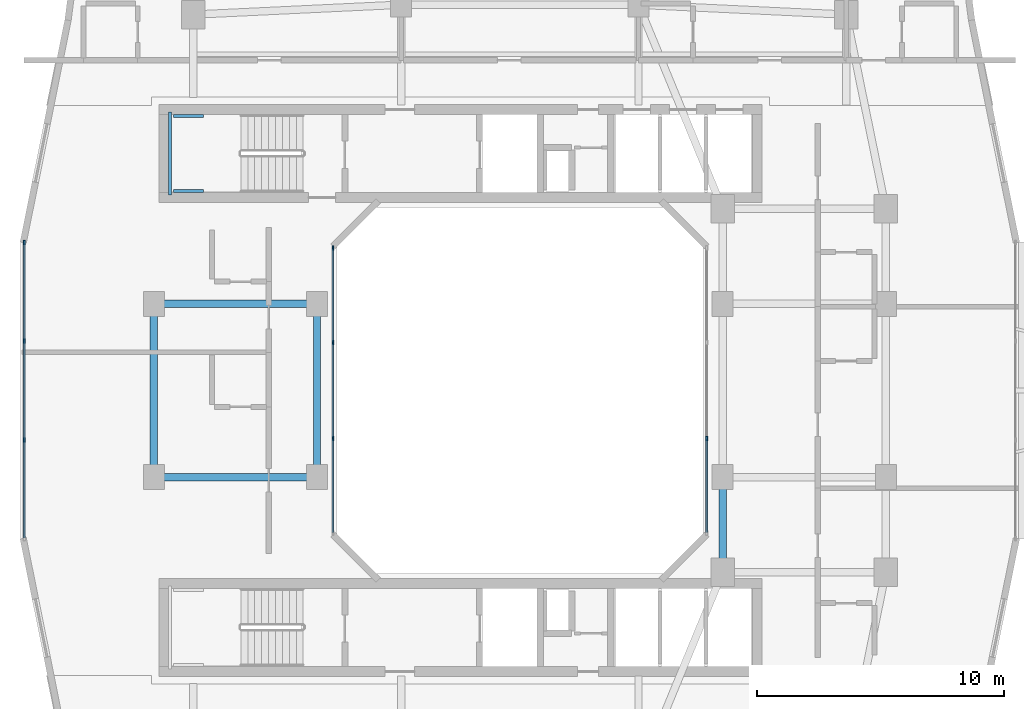
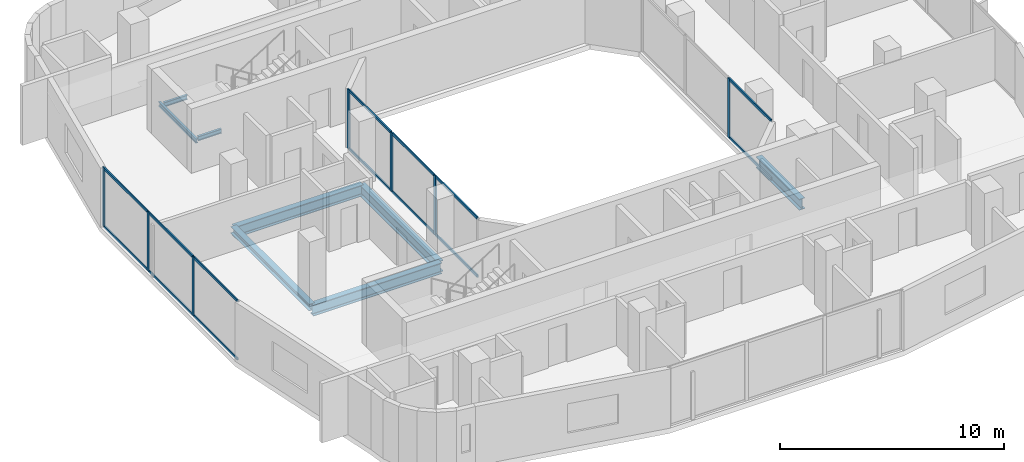
# One storey, part 3 of 26: 21 members, 8 beams, 3 elements without a shape of their own.
"""IFC4 building model written with IfcOpenShell, lengths in metres."""

from ifc_helpers import new_model, si_unit, derived_unit, direction, frame, origin, origin_2d, place, context, subcontext, project, spatial, rectangle, i_section, extrude, material, layer, layer_set, material_profile, profile_set, type_object, element, aggregate, save


model = new_model("IFC4")

# Units and contexts
model_context = context("Model", 3, precision=1e-05, world=origin(), true_north=direction((0.0, 1.0)))
body_context = subcontext(model_context, "Body", "Model", "MODEL_VIEW")
ifc_project = project(units=[si_unit("LENGTHUNIT", "METRE"), si_unit("AREAUNIT", "SQUARE_METRE"), si_unit("VOLUMEUNIT", "CUBIC_METRE"), si_unit("PLANEANGLEUNIT", "RADIAN"), si_unit("MASSUNIT", "GRAM", prefix="KILO"), derived_unit("THERMALTRANSMITTANCEUNIT", [(si_unit("POWERUNIT", "WATT"), 1), (si_unit("LENGTHUNIT", "METRE"), -2), (si_unit("THERMODYNAMICTEMPERATUREUNIT", "KELVIN"), -1)])], contexts=[model_context])

# Site, building, storey
site_placement = place(None, origin())
site = spatial("IfcSite", under=ifc_project, at=site_placement, CompositionType="ELEMENT")
building_placement = place(site_placement, origin())
building = spatial("IfcBuilding", under=site, at=building_placement, Name="Kivonza Crest Hotel", CompositionType="ELEMENT")
storey_placement = place(building_placement, frame((0.0, 0.0, 105.5)))
storey = spatial("IfcBuildingStorey", under=building, at=storey_placement, Name="L28", CompositionType="ELEMENT", Elevation=105.5)

# Beams
ifc_material_1 = material(Name="Steel S355", Category="steel")
ifc_material_profile_1 = material_profile(ifc_material_1, i_section(OverallWidth=0.300048828125, OverallDepth=0.360107421875, WebThickness=0.012451171875, FlangeThickness=0.0224609375, FilletRadius=0.027099609375, at=origin_2d()), Name="HEB 360")
ifc_profile_set_1 = profile_set([ifc_material_profile_1], Name="Steel S355")
beam_type_1 = type_object("IfcBeamType", Name="BM-HEB360", PredefinedType="SPANDREL", material=ifc_profile_set_1)
beam_1_placement = place(storey_placement, frame((6.199951171875, 28.5, -0.4599609375), z_axis=(0.0, -1.0, 0.0), x_axis=(1.0, 0.0, 0.0)))
element("IfcBeam", 1, at=beam_1_placement, inside=storey, type_object=beam_type_1, Name="Tower T1 L28 perimeter spandrel W2-W1", PredefinedType="SPANDREL", context=body_context, shape_type="SweptSolid", body=[
    extrude(i_section(OverallWidth=0.300048828125, OverallDepth=0.360107421875, WebThickness=0.012451171875, FlangeThickness=0.0224609375, FilletRadius=0.027099609375, at=origin_2d()), origin(), (0.0, 0.0, 1.0), 7.0),
])
ifc_material_profile_2 = material_profile(ifc_material_1, i_section(OverallWidth=0.300048828125, OverallDepth=0.60009765625, WebThickness=0.015380859375, FlangeThickness=0.030029296875, FilletRadius=0.027099609375, at=origin_2d()), Name="HEB 600")
ifc_profile_set_2 = profile_set([ifc_material_profile_2], Name="Steel S355")
beam_type_2 = type_object("IfcBeamType", Name="BM-HEB600", PredefinedType="BEAM", material=ifc_profile_set_2)
for number, where, z_axis, x_axis, name in (
    (2, (6.199951171875, 21.5, -0.580078125), (1.0, 0.0, 0.0), (0.0, 1.0, 0.0), "Tower T1 L28 primary girder W1-WL1"),
    (3, (6.199951171875, 28.5, -0.580078125), (1.0, 0.0, 0.0), (0.0, 1.0, 0.0), "Tower T1 L28 primary girder W2-WL2"),
):
    element("IfcBeam", number, at=place(storey_placement, frame(where, z_axis=z_axis, x_axis=x_axis)), inside=storey, type_object=beam_type_2, Name=name, PredefinedType="BEAM", context=body_context, shape_type="SweptSolid", body=[
        extrude(i_section(OverallWidth=0.300048828125, OverallDepth=0.60009765625, WebThickness=0.015380859375, FlangeThickness=0.030029296875, FilletRadius=0.027099609375, at=origin_2d()), origin(), (0.0, 0.0, 1.0), 6.60009765625),
    ])
beam_2_placement = place(storey_placement, frame((12.800048828125, 21.5, -0.580078125), z_axis=(0.0, 1.0, 0.0), x_axis=(-1.0, 0.0, 0.0)))
element("IfcBeam", 4, at=beam_2_placement, inside=storey, type_object=beam_type_2, Name="Tower T1 L28 primary girder WL1-WL2", PredefinedType="BEAM", context=body_context, shape_type="SweptSolid", body=[
    extrude(i_section(OverallWidth=0.300048828125, OverallDepth=0.60009765625, WebThickness=0.015380859375, FlangeThickness=0.030029296875, FilletRadius=0.027099609375, at=origin_2d()), origin(), (0.0, 0.0, 1.0), 7.0),
])
beam_3_placement = place(storey_placement, frame((29.199951171875, 17.64990234375, -0.580078125), z_axis=(0.0, 1.0, 0.0), x_axis=(-1.0, 0.0, 0.0)))
element("IfcBeam", 5, at=beam_3_placement, inside=storey, type_object=beam_type_2, Name="Tower T1 L28 primary girder TSE-WR1", PredefinedType="BEAM", context=body_context, shape_type="SweptSolid", body=[
    extrude(i_section(OverallWidth=0.300048828125, OverallDepth=0.60009765625, WebThickness=0.015380859375, FlangeThickness=0.030029296875, FilletRadius=0.027099609375, at=origin_2d()), origin(), (0.0, 0.0, 1.0), 3.85009765625),
])
ifc_material_profile_3 = material_profile(ifc_material_1, i_section(OverallWidth=0.1201171875, OverallDepth=0.239990234375, WebThickness=0.006103515625, FlangeThickness=0.009765625, FilletRadius=0.014892578125, at=origin_2d()), Name="IPE 240")
ifc_profile_set_3 = profile_set([ifc_material_profile_3], Name="Steel S355")
beam_type_3 = type_object("IfcBeamType", Name="BM-LLDG-240", PredefinedType="BEAM", material=ifc_profile_set_3)
beam_4_placement = place(storey_placement, frame((6.860107421875, 32.89990234375, 1.429931640625), z_axis=(0.0, 1.0, 0.0), x_axis=(-1.0, 0.0, 0.0)))
element("IfcBeam", 6, at=beam_4_placement, inside=storey, type_object=beam_type_3, Name="Stair ST-T1-N L28 West landing corbel", PredefinedType="BEAM", context=body_context, shape_type="SweptSolid", body=[
    extrude(i_section(OverallWidth=0.1201171875, OverallDepth=0.239990234375, WebThickness=0.006103515625, FlangeThickness=0.009765625, FilletRadius=0.014892578125, at=origin_2d()), origin(), (0.0, 0.0, 1.0), 3.360107421875),
])
for number, where, z_axis, x_axis, name in (
    (7, (6.989990234375, 33.06005859375, 1.429931640625), (1.0, 0.0, 0.0), (0.0, 1.0, 0.0), "Stair ST-T1-N L28 South landing corbel"),
    (8, (6.989990234375, 36.10009765625, 1.429931640625), (1.0, 0.0, 0.0), (0.0, 1.0, 0.0), "Stair ST-T1-N L28 North landing corbel"),
):
    element("IfcBeam", number, at=place(storey_placement, frame(where, z_axis=z_axis, x_axis=x_axis)), inside=storey, type_object=beam_type_3, Name=name, PredefinedType="BEAM", context=body_context, shape_type="SweptSolid", body=[
        extrude(i_section(OverallWidth=0.1201171875, OverallDepth=0.239990234375, WebThickness=0.006103515625, FlangeThickness=0.009765625, FilletRadius=0.014892578125, at=origin_2d()), origin(), (0.0, 0.0, 1.0), 1.2099609375),
    ])

# Curtain wall, members
ifc_material_2 = material(Name="Anodised bronze aluminium and low-E double glazing", Category="aluminium")
ifc_layer_1 = layer(ifc_material_2, 0.179931640625)
ifc_layer_set_1 = layer_set([ifc_layer_1], Name="Anodised bronze aluminium and low-E double glazing")
curtain_wall_type_1 = type_object("IfcCurtainWallType", Name="CW-SYS-2", PredefinedType="NOTDEFINED", material=ifc_layer_set_1)
curtain_wall_1_placement = place(storey_placement, origin())
curtain_wall_1 = element("IfcCurtainWall", 9, at=curtain_wall_1_placement, inside=storey, type_object=curtain_wall_type_1, Name="L28 unitised curtain wall CW-T1-L28-35", PredefinedType="NOTDEFINED")
ifc_material_3 = material(Name="Anodised bronze aluminium", Category="aluminium")
ifc_material_profile_4 = material_profile(ifc_material_3, rectangle(XDim=0.06494140625, YDim=0.179931640625, at=origin_2d()), Name="CW-M 65x180")
ifc_profile_set_4 = profile_set([ifc_material_profile_4], Name="Anodised bronze aluminium")
member_type_1 = type_object("IfcMemberType", Name="CW-MUL-65x180", PredefinedType="MULLION", material=ifc_profile_set_4)
member_1_placement = place(storey_placement, frame((0.9599609375, 30.987548828125, 0.0), z_axis=(0.0, 0.0, 1.0), x_axis=(1.0, 0.0, 0.0)))
member_1 = element("IfcMember", 10, at=member_1_placement, type_object=member_type_1, Name="CW-2 mullion 1", PredefinedType="MULLION", context=body_context, shape_type="SweptSolid", body=[
    extrude(rectangle(XDim=0.06494140625, YDim=0.179931640625, at=origin_2d()), origin(), (0.0, 0.0, 1.0), 3.219970703125),
])
member_2_placement = place(storey_placement, frame((0.9599609375, 27.006591796875, 0.0), z_axis=(0.0, 0.0, 1.0), x_axis=(1.0, 0.0, 0.0)))
member_2 = element("IfcMember", 11, at=member_2_placement, type_object=member_type_1, Name="CW-2 mullion 2", PredefinedType="MULLION", context=body_context, shape_type="SweptSolid", body=[
    extrude(rectangle(XDim=0.06494140625, YDim=0.179931640625, at=origin_2d()), origin(), (0.0, 0.0, 1.0), 3.219970703125),
])
member_3_placement = place(storey_placement, frame((0.9599609375, 22.993408203125, 0.0), z_axis=(0.0, 0.0, 1.0), x_axis=(1.0, 0.0, 0.0)))
member_3 = element("IfcMember", 12, at=member_3_placement, type_object=member_type_1, Name="CW-2 mullion 3", PredefinedType="MULLION", context=body_context, shape_type="SweptSolid", body=[
    extrude(rectangle(XDim=0.06494140625, YDim=0.179931640625, at=origin_2d()), origin(), (0.0, 0.0, 1.0), 3.219970703125),
])

# Curtain wall, member
ifc_layer_2 = layer(ifc_material_2, 0.159912109375)
ifc_layer_set_2 = layer_set([ifc_layer_2], Name="Anodised bronze aluminium and low-E double glazing")
curtain_wall_type_2 = type_object("IfcCurtainWallType", Name="CW-SYS-5", PredefinedType="NOTDEFINED", material=ifc_layer_set_2)
curtain_wall_2_placement = place(storey_placement, origin())
curtain_wall_2 = element("IfcCurtainWall", 13, at=curtain_wall_2_placement, inside=storey, type_object=curtain_wall_type_2, Name="L28 unitised curtain wall CW-WELL-T1-L28-3", PredefinedType="NOTDEFINED")
member_4_placement = place(storey_placement, frame((28.56005859375, 23.066650390625, 0.0), z_axis=(0.0, 0.0, 1.0), x_axis=(-1.0, 0.0, 0.0)))
member_4 = element("IfcMember", 14, at=member_4_placement, type_object=member_type_1, Name="CW-5 mullion 2", PredefinedType="MULLION", context=body_context, shape_type="SweptSolid", body=[
    extrude(rectangle(XDim=0.06494140625, YDim=0.179931640625, at=origin_2d()), origin(), (0.0, 0.0, 1.0), 3.219970703125),
])

# Curtain wall, members
curtain_wall_3_placement = place(storey_placement, origin())
curtain_wall_3 = element("IfcCurtainWall", 15, at=curtain_wall_3_placement, inside=storey, type_object=curtain_wall_type_2, Name="L28 unitised curtain wall CW-WELL-T1-L28-7", PredefinedType="NOTDEFINED")
member_5_placement = place(storey_placement, frame((13.43994140625, 30.767578125, 0.0), z_axis=(0.0, 0.0, 1.0), x_axis=(1.0, 0.0, 0.0)))
member_5 = element("IfcMember", 16, at=member_5_placement, type_object=member_type_1, Name="CW-5 mullion 1", PredefinedType="MULLION", context=body_context, shape_type="SweptSolid", body=[
    extrude(rectangle(XDim=0.06494140625, YDim=0.179931640625, at=origin_2d()), origin(), (0.0, 0.0, 1.0), 3.219970703125),
])
member_6_placement = place(storey_placement, frame((13.43994140625, 26.933349609375, 0.0), z_axis=(0.0, 0.0, 1.0), x_axis=(1.0, 0.0, 0.0)))
member_6 = element("IfcMember", 17, at=member_6_placement, type_object=member_type_1, Name="CW-5 mullion 2", PredefinedType="MULLION", context=body_context, shape_type="SweptSolid", body=[
    extrude(rectangle(XDim=0.06494140625, YDim=0.179931640625, at=origin_2d()), origin(), (0.0, 0.0, 1.0), 3.219970703125),
])
member_7_placement = place(storey_placement, frame((13.43994140625, 23.066650390625, 0.0), z_axis=(0.0, 0.0, 1.0), x_axis=(1.0, 0.0, 0.0)))
member_7 = element("IfcMember", 18, at=member_7_placement, type_object=member_type_1, Name="CW-5 mullion 3", PredefinedType="MULLION", context=body_context, shape_type="SweptSolid", body=[
    extrude(rectangle(XDim=0.06494140625, YDim=0.179931640625, at=origin_2d()), origin(), (0.0, 0.0, 1.0), 3.219970703125),
])

# Member
ifc_material_profile_5 = material_profile(ifc_material_3, rectangle(XDim=0.06494140625, YDim=0.139892578125, at=origin_2d()), Name="CW-T 65x140")
ifc_profile_set_5 = profile_set([ifc_material_profile_5], Name="Anodised bronze aluminium")
member_type_2 = type_object("IfcMemberType", Name="CW-TRN-65x140", PredefinedType="USERDEFINED", material=ifc_profile_set_5)
member_8_placement = place(storey_placement, frame((0.9599609375, 30.955078125, 0.032470703125), z_axis=(0.0, -1.0, 0.0), x_axis=(1.0, 0.0, 0.0)))
member_8 = element("IfcMember", 19, at=member_8_placement, type_object=member_type_2, Name="CW-2 transom 1.1", ObjectType="TRANSOM", PredefinedType="USERDEFINED", context=body_context, shape_type="SweptSolid", body=[
    extrude(rectangle(XDim=0.06494140625, YDim=0.139892578125, at=origin_2d()), origin(), (0.0, 0.0, 1.0), 3.916015625),
])

member_9_placement = place(storey_placement, frame((0.9599609375, 30.955078125, 3.1875), z_axis=(0.0, -1.0, 0.0), x_axis=(1.0, 0.0, 0.0)))
member_9 = element("IfcMember", 20, at=member_9_placement, type_object=member_type_2, Name="CW-2 transom 1.2", ObjectType="TRANSOM", PredefinedType="USERDEFINED", context=body_context, shape_type="SweptSolid", body=[
    extrude(rectangle(XDim=0.06494140625, YDim=0.139892578125, at=origin_2d()), origin(), (0.0, 0.0, 1.0), 3.916015625),
])

member_10_placement = place(storey_placement, frame((0.9599609375, 26.97412109375, 0.032470703125), z_axis=(0.0, -1.0, 0.0), x_axis=(1.0, 0.0, 0.0)))
member_10 = element("IfcMember", 21, at=member_10_placement, type_object=member_type_2, Name="CW-2 transom 2.1", ObjectType="TRANSOM", PredefinedType="USERDEFINED", context=body_context, shape_type="SweptSolid", body=[
    extrude(rectangle(XDim=0.06494140625, YDim=0.139892578125, at=origin_2d()), origin(), (0.0, 0.0, 1.0), 3.9482421875),
])

member_11_placement = place(storey_placement, frame((0.9599609375, 26.97412109375, 3.1875), z_axis=(0.0, -1.0, 0.0), x_axis=(1.0, 0.0, 0.0)))
member_11 = element("IfcMember", 22, at=member_11_placement, type_object=member_type_2, Name="CW-2 transom 2.2", ObjectType="TRANSOM", PredefinedType="USERDEFINED", context=body_context, shape_type="SweptSolid", body=[
    extrude(rectangle(XDim=0.06494140625, YDim=0.139892578125, at=origin_2d()), origin(), (0.0, 0.0, 1.0), 3.9482421875),
])

member_12_placement = place(storey_placement, frame((0.9599609375, 22.9609375, 0.032470703125), z_axis=(0.0, -1.0, 0.0), x_axis=(1.0, 0.0, 0.0)))
member_12 = element("IfcMember", 23, at=member_12_placement, type_object=member_type_2, Name="CW-2 transom 3.1", ObjectType="TRANSOM", PredefinedType="USERDEFINED", context=body_context, shape_type="SweptSolid", body=[
    extrude(rectangle(XDim=0.06494140625, YDim=0.139892578125, at=origin_2d()), origin(), (0.0, 0.0, 1.0), 3.916015625),
])

member_13_placement = place(storey_placement, frame((0.9599609375, 22.9609375, 3.1875), z_axis=(0.0, -1.0, 0.0), x_axis=(1.0, 0.0, 0.0)))
member_13 = element("IfcMember", 24, at=member_13_placement, type_object=member_type_2, Name="CW-2 transom 3.2", ObjectType="TRANSOM", PredefinedType="USERDEFINED", context=body_context, shape_type="SweptSolid", body=[
    extrude(rectangle(XDim=0.06494140625, YDim=0.139892578125, at=origin_2d()), origin(), (0.0, 0.0, 1.0), 3.916015625),
])

aggregate(curtain_wall_1, [member_1, member_2, member_3, member_8, member_9, member_10, member_11, member_12, member_13])

member_14_placement = place(storey_placement, frame((28.56005859375, 19.264892578125, 0.032470703125), z_axis=(0.0, 1.0, 0.0), x_axis=(-1.0, 0.0, 0.0)))
member_14 = element("IfcMember", 25, at=member_14_placement, type_object=member_type_2, Name="CW-5 transom 1.1", ObjectType="TRANSOM", PredefinedType="USERDEFINED", context=body_context, shape_type="SweptSolid", body=[
    extrude(rectangle(XDim=0.06494140625, YDim=0.139892578125, at=origin_2d()), origin(), (0.0, 0.0, 1.0), 3.769287109375),
])

member_15_placement = place(storey_placement, frame((28.56005859375, 19.264892578125, 3.1875), z_axis=(0.0, 1.0, 0.0), x_axis=(-1.0, 0.0, 0.0)))
member_15 = element("IfcMember", 26, at=member_15_placement, type_object=member_type_2, Name="CW-5 transom 1.2", ObjectType="TRANSOM", PredefinedType="USERDEFINED", context=body_context, shape_type="SweptSolid", body=[
    extrude(rectangle(XDim=0.06494140625, YDim=0.139892578125, at=origin_2d()), origin(), (0.0, 0.0, 1.0), 3.769287109375),
])

aggregate(curtain_wall_2, [member_4, member_14, member_15])

member_16_placement = place(storey_placement, frame((13.43994140625, 30.735107421875, 0.032470703125), z_axis=(0.0, -1.0, 0.0), x_axis=(1.0, 0.0, 0.0)))
member_16 = element("IfcMember", 27, at=member_16_placement, type_object=member_type_2, Name="CW-5 transom 1.1", ObjectType="TRANSOM", PredefinedType="USERDEFINED", context=body_context, shape_type="SweptSolid", body=[
    extrude(rectangle(XDim=0.06494140625, YDim=0.139892578125, at=origin_2d()), origin(), (0.0, 0.0, 1.0), 3.769287109375),
])

member_17_placement = place(storey_placement, frame((13.43994140625, 30.735107421875, 3.1875), z_axis=(0.0, -1.0, 0.0), x_axis=(1.0, 0.0, 0.0)))
member_17 = element("IfcMember", 28, at=member_17_placement, type_object=member_type_2, Name="CW-5 transom 1.2", ObjectType="TRANSOM", PredefinedType="USERDEFINED", context=body_context, shape_type="SweptSolid", body=[
    extrude(rectangle(XDim=0.06494140625, YDim=0.139892578125, at=origin_2d()), origin(), (0.0, 0.0, 1.0), 3.769287109375),
])

member_18_placement = place(storey_placement, frame((13.43994140625, 26.90087890625, 0.032470703125), z_axis=(0.0, -1.0, 0.0), x_axis=(1.0, 0.0, 0.0)))
member_18 = element("IfcMember", 29, at=member_18_placement, type_object=member_type_2, Name="CW-5 transom 2.1", ObjectType="TRANSOM", PredefinedType="USERDEFINED", context=body_context, shape_type="SweptSolid", body=[
    extrude(rectangle(XDim=0.06494140625, YDim=0.139892578125, at=origin_2d()), origin(), (0.0, 0.0, 1.0), 3.8017578125),
])

member_19_placement = place(storey_placement, frame((13.43994140625, 26.90087890625, 3.1875), z_axis=(0.0, -1.0, 0.0), x_axis=(1.0, 0.0, 0.0)))
member_19 = element("IfcMember", 30, at=member_19_placement, type_object=member_type_2, Name="CW-5 transom 2.2", ObjectType="TRANSOM", PredefinedType="USERDEFINED", context=body_context, shape_type="SweptSolid", body=[
    extrude(rectangle(XDim=0.06494140625, YDim=0.139892578125, at=origin_2d()), origin(), (0.0, 0.0, 1.0), 3.8017578125),
])

member_20_placement = place(storey_placement, frame((13.43994140625, 23.0341796875, 0.032470703125), z_axis=(0.0, -1.0, 0.0), x_axis=(1.0, 0.0, 0.0)))
member_20 = element("IfcMember", 31, at=member_20_placement, type_object=member_type_2, Name="CW-5 transom 3.1", ObjectType="TRANSOM", PredefinedType="USERDEFINED", context=body_context, shape_type="SweptSolid", body=[
    extrude(rectangle(XDim=0.06494140625, YDim=0.139892578125, at=origin_2d()), origin(), (0.0, 0.0, 1.0), 3.769287109375),
])

member_21_placement = place(storey_placement, frame((13.43994140625, 23.0341796875, 3.1875), z_axis=(0.0, -1.0, 0.0), x_axis=(1.0, 0.0, 0.0)))
member_21 = element("IfcMember", 32, at=member_21_placement, type_object=member_type_2, Name="CW-5 transom 3.2", ObjectType="TRANSOM", PredefinedType="USERDEFINED", context=body_context, shape_type="SweptSolid", body=[
    extrude(rectangle(XDim=0.06494140625, YDim=0.139892578125, at=origin_2d()), origin(), (0.0, 0.0, 1.0), 3.769287109375),
])

aggregate(curtain_wall_3, [member_5, member_6, member_7, member_16, member_17, member_18, member_19, member_20, member_21])

save(model, "model.ifc")
